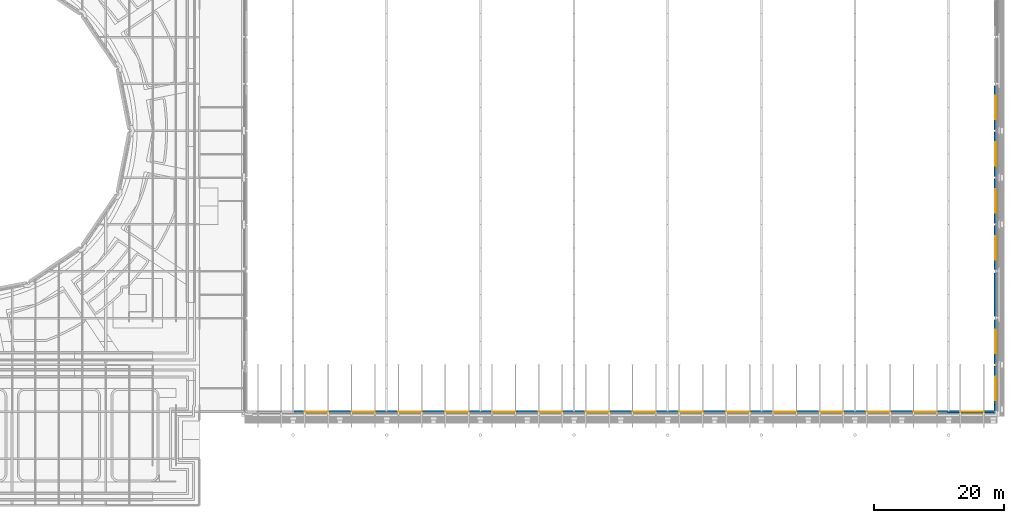
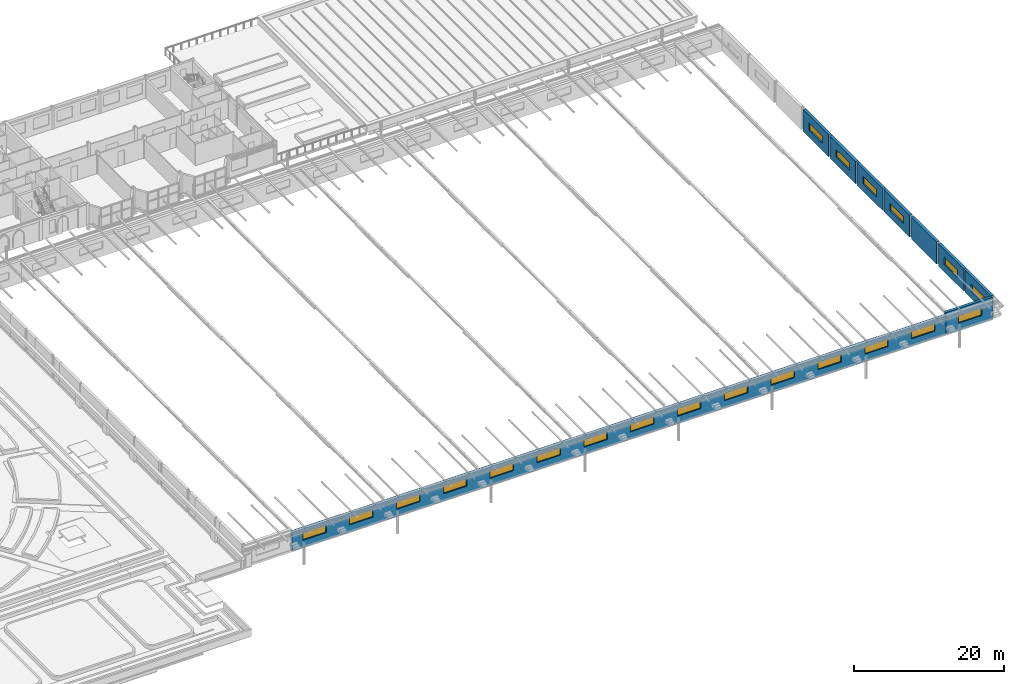
# One storey, part 45 of 110: 21 windows, 9 walls, 21 openings.
"""IFC4 building model written with IfcOpenShell, lengths in metres."""

from ifc_helpers import new_model, si_unit, direction, frame, frame_2d, origin, place, context, subcontext, project, spatial, rectangle, extrude, material, layer, layer_set, type_object, element, fill, save


model = new_model("IFC4")

# Units and contexts
model_context = context("Model", 3, precision=1e-05, world=origin(), true_north=direction((0.0, 1.0)))
body_context = subcontext(model_context, "Body", "Model", "MODEL_VIEW")
ifc_project = project(units=[si_unit("LENGTHUNIT", "METRE"), si_unit("AREAUNIT", "SQUARE_METRE"), si_unit("VOLUMEUNIT", "CUBIC_METRE"), si_unit("PLANEANGLEUNIT", "RADIAN"), si_unit("MASSUNIT", "GRAM", prefix="KILO")], contexts=[model_context])

# Site, building, storey
site_placement = place(None, origin())
site = spatial("IfcSite", under=ifc_project, at=site_placement, CompositionType="ELEMENT")
building_placement = place(site_placement, origin())
building = spatial("IfcBuilding", under=site, at=building_placement, Name="Kupolbacken Congress Centre", CompositionType="ELEMENT")
storey_placement = place(building_placement, frame((0.0, 0.0, 18.0)))
storey = spatial("IfcBuildingStorey", under=building, at=storey_placement, Name="L05", CompositionType="ELEMENT", Elevation=18.0)

# Wall, opening, window
ifc_material_1 = material(Name="Brick", Category="masonry")
ifc_layer_1 = layer(ifc_material_1, 0.10791015625)
ifc_material_2 = material(Name="Air cavity", Category="air")
ifc_layer_2 = layer(ifc_material_2, 0.0400390625, ventilated=True)
ifc_material_3 = material(Name="Mineral wool", Category="insulation")
ifc_layer_3 = layer(ifc_material_3, 0.152099609375)
ifc_material_4 = material(Name="Concrete block", Category="masonry")
ifc_layer_4 = layer(ifc_material_4, 0.1201171875)
ifc_layer_set = layer_set([ifc_layer_1, ifc_layer_2, ifc_layer_3, ifc_layer_4], Name="Brick / Mineral wool / Concrete block")
wall_type = type_object("IfcWallType", Name="EW04 external cavity wall 420", PredefinedType="SOLIDWALL", material=ifc_layer_set)
wall_1_placement = place(storey_placement, frame((201.60009765625, 43.409912109375, 0.0), z_axis=(0.0, 0.0, 1.0), x_axis=(0.0, 1.0, 0.0)))
wall_1 = element("IfcWall", 1, at=wall_1_placement, inside=storey, type_object=wall_type, Name="E/H/E/L05/457", PredefinedType="SOLIDWALL", context=body_context, shape_type="SweptSolid", body=[
    extrude(rectangle(XDim=6.844970703125, YDim=0.419921875, at=frame_2d((3.42236328125, 0.0))), origin(), (0.0, 0.0, 1.0), 3.60009765625),
])
opening_1_placement = place(wall_1_placement, frame((1.590087890625, 0.0, 1.199951171875)))
opening_1 = element("IfcOpeningElement", 2, at=opening_1_placement, cuts=wall_1, Name="Opening W12", PredefinedType="OPENING", context=body_context, shape_type="SweptSolid", body=[
    extrude(rectangle(XDim=3.60009765625, YDim=1.199951171875, at=frame_2d((1.800048828125, 0.60009765625))), frame((0.0, 0.219970703125, 0.0), z_axis=(0.0, -1.0, 0.0), x_axis=(1.0, 0.0, 0.0)), (0.0, 0.0, 1.0), 0.43994140625),
])
ifc_material_5 = material(Name="Aluminium frame with double or triple glazing", Category="aluminium")
window_type = type_object("IfcWindowType", Name="W12 window 3600x1200", PartitioningType="TRIPLE_PANEL_VERTICAL", PredefinedType="WINDOW", material=ifc_material_5)
window_1_placement = place(opening_1_placement, origin())
window_1 = element("IfcWindow", 3, at=window_1_placement, inside=storey, type_object=window_type, Name="E/H/E/L05/457/W1", OverallHeight=1.199951171875, OverallWidth=3.60009765625, PartitioningType="SINGLE_PANEL", PredefinedType="WINDOW", context=body_context, shape_type="SweptSolid", body=[
    extrude(rectangle(XDim=3.60009765625, YDim=1.199951171875, at=frame_2d((1.800048828125, 0.60009765625))), frame((0.0, 0.030029296875, 0.0), z_axis=(0.0, -1.0, 0.0), x_axis=(1.0, 0.0, 0.0)), (0.0, 0.0, 1.0), 0.06005859375),
])
fill(opening_1, window_1)

wall_2_placement = place(storey_placement, frame((201.60009765625, 50.544921875, 0.0), z_axis=(0.0, 0.0, 1.0), x_axis=(0.0, 1.0, 0.0)))
wall_2 = element("IfcWall", 4, at=wall_2_placement, inside=storey, type_object=wall_type, Name="E/H/E/L05/458", PredefinedType="SOLIDWALL", context=body_context, shape_type="SweptSolid", body=[
    extrude(rectangle(XDim=6.81005859375, YDim=0.419921875, at=frame_2d((3.405029296875, 0.0))), origin(), (0.0, 0.0, 1.0), 3.60009765625),
])
opening_2_placement = place(wall_2_placement, frame((1.655029296875, 0.0, 1.199951171875)))
opening_2 = element("IfcOpeningElement", 5, at=opening_2_placement, cuts=wall_2, Name="Opening W12", PredefinedType="OPENING", context=body_context, shape_type="SweptSolid", body=[
    extrude(rectangle(XDim=3.60009765625, YDim=1.199951171875, at=frame_2d((1.800048828125, 0.60009765625))), frame((0.0, 0.219970703125, 0.0), z_axis=(0.0, -1.0, 0.0), x_axis=(1.0, 0.0, 0.0)), (0.0, 0.0, 1.0), 0.43994140625),
])
window_2_placement = place(opening_2_placement, origin())
window_2 = element("IfcWindow", 6, at=window_2_placement, inside=storey, type_object=window_type, Name="E/H/E/L05/458/W1", OverallHeight=1.199951171875, OverallWidth=3.60009765625, PartitioningType="SINGLE_PANEL", PredefinedType="WINDOW", context=body_context, shape_type="SweptSolid", body=[
    extrude(rectangle(XDim=3.60009765625, YDim=1.199951171875, at=frame_2d((1.800048828125, 0.60009765625))), frame((0.0, 0.030029296875, 0.0), z_axis=(0.0, -1.0, 0.0), x_axis=(1.0, 0.0, 0.0)), (0.0, 0.0, 1.0), 0.06005859375),
])
fill(opening_2, window_2)

# Wall
wall_3_placement = place(storey_placement, frame((201.60009765625, 57.844970703125, 0.0), z_axis=(0.0, 0.0, 1.0), x_axis=(0.0, 1.0, 0.0)))
element("IfcWall", 7, at=wall_3_placement, inside=storey, type_object=wall_type, Name="E/H/E/L05/459", PredefinedType="SOLIDWALL", context=body_context, shape_type="SweptSolid", body=[
    extrude(rectangle(XDim=6.7099609375, YDim=0.419921875, at=frame_2d((3.35498046875, 0.0))), origin(), (0.0, 0.0, 1.0), 3.60009765625),
])

# Wall, opening, window
wall_4_placement = place(storey_placement, frame((201.60009765625, 65.044921875, 0.0), z_axis=(0.0, 0.0, 1.0), x_axis=(0.0, 1.0, 0.0)))
wall_4 = element("IfcWall", 8, at=wall_4_placement, inside=storey, type_object=wall_type, Name="E/H/E/L05/460", PredefinedType="SOLIDWALL", context=body_context, shape_type="SweptSolid", body=[
    extrude(rectangle(XDim=6.81005859375, YDim=0.419921875, at=frame_2d((3.405029296875, 0.0))), origin(), (0.0, 0.0, 1.0), 3.60009765625),
])
opening_3_placement = place(wall_4_placement, frame((1.554931640625, 0.0, 1.199951171875)))
opening_3 = element("IfcOpeningElement", 9, at=opening_3_placement, cuts=wall_4, Name="Opening W12", PredefinedType="OPENING", context=body_context, shape_type="SweptSolid", body=[
    extrude(rectangle(XDim=3.60009765625, YDim=1.199951171875, at=frame_2d((1.800048828125, 0.60009765625))), frame((0.0, 0.219970703125, 0.0), z_axis=(0.0, -1.0, 0.0), x_axis=(1.0, 0.0, 0.0)), (0.0, 0.0, 1.0), 0.43994140625),
])
window_3_placement = place(opening_3_placement, origin())
window_3 = element("IfcWindow", 10, at=window_3_placement, inside=storey, type_object=window_type, Name="E/H/E/L05/460/W1", OverallHeight=1.199951171875, OverallWidth=3.60009765625, PartitioningType="SINGLE_PANEL", PredefinedType="WINDOW", context=body_context, shape_type="SweptSolid", body=[
    extrude(rectangle(XDim=3.60009765625, YDim=1.199951171875, at=frame_2d((1.800048828125, 0.60009765625))), frame((0.0, 0.030029296875, 0.0), z_axis=(0.0, -1.0, 0.0), x_axis=(1.0, 0.0, 0.0)), (0.0, 0.0, 1.0), 0.06005859375),
])
fill(opening_3, window_3)

wall_5_placement = place(storey_placement, frame((201.60009765625, 72.14501953125, 0.0), z_axis=(0.0, 0.0, 1.0), x_axis=(0.0, 1.0, 0.0)))
wall_5 = element("IfcWall", 11, at=wall_5_placement, inside=storey, type_object=wall_type, Name="E/H/E/L05/461", PredefinedType="SOLIDWALL", context=body_context, shape_type="SweptSolid", body=[
    extrude(rectangle(XDim=6.909912109375, YDim=0.419921875, at=frame_2d((3.455078125, 0.0))), origin(), (0.0, 0.0, 1.0), 3.60009765625),
])
opening_4_placement = place(wall_5_placement, frame((1.655029296875, 0.0, 1.199951171875)))
opening_4 = element("IfcOpeningElement", 12, at=opening_4_placement, cuts=wall_5, Name="Opening W12", PredefinedType="OPENING", context=body_context, shape_type="SweptSolid", body=[
    extrude(rectangle(XDim=3.60009765625, YDim=1.199951171875, at=frame_2d((1.800048828125, 0.60009765625))), frame((0.0, 0.219970703125, 0.0), z_axis=(0.0, -1.0, 0.0), x_axis=(1.0, 0.0, 0.0)), (0.0, 0.0, 1.0), 0.43994140625),
])
window_4_placement = place(opening_4_placement, origin())
window_4 = element("IfcWindow", 13, at=window_4_placement, inside=storey, type_object=window_type, Name="E/H/E/L05/461/W1", OverallHeight=1.199951171875, OverallWidth=3.60009765625, PartitioningType="SINGLE_PANEL", PredefinedType="WINDOW", context=body_context, shape_type="SweptSolid", body=[
    extrude(rectangle(XDim=3.60009765625, YDim=1.199951171875, at=frame_2d((1.800048828125, 0.60009765625))), frame((0.0, 0.030029296875, 0.0), z_axis=(0.0, -1.0, 0.0), x_axis=(1.0, 0.0, 0.0)), (0.0, 0.0, 1.0), 0.06005859375),
])
fill(opening_4, window_4)

wall_6_placement = place(storey_placement, frame((201.60009765625, 79.344970703125, 0.0), z_axis=(0.0, 0.0, 1.0), x_axis=(0.0, 1.0, 0.0)))
wall_6 = element("IfcWall", 14, at=wall_6_placement, inside=storey, type_object=wall_type, Name="E/H/E/L05/462", PredefinedType="SOLIDWALL", context=body_context, shape_type="SweptSolid", body=[
    extrude(rectangle(XDim=6.909912109375, YDim=0.419921875, at=frame_2d((3.455078125, 0.0))), origin(), (0.0, 0.0, 1.0), 3.60009765625),
])
opening_5_placement = place(wall_6_placement, frame((1.655029296875, 0.0, 1.199951171875)))
opening_5 = element("IfcOpeningElement", 15, at=opening_5_placement, cuts=wall_6, Name="Opening W12", PredefinedType="OPENING", context=body_context, shape_type="SweptSolid", body=[
    extrude(rectangle(XDim=3.60009765625, YDim=1.199951171875, at=frame_2d((1.800048828125, 0.60009765625))), frame((0.0, 0.219970703125, 0.0), z_axis=(0.0, -1.0, 0.0), x_axis=(1.0, 0.0, 0.0)), (0.0, 0.0, 1.0), 0.43994140625),
])
window_5_placement = place(opening_5_placement, origin())
window_5 = element("IfcWindow", 16, at=window_5_placement, inside=storey, type_object=window_type, Name="E/H/E/L05/462/W1", OverallHeight=1.199951171875, OverallWidth=3.60009765625, PartitioningType="SINGLE_PANEL", PredefinedType="WINDOW", context=body_context, shape_type="SweptSolid", body=[
    extrude(rectangle(XDim=3.60009765625, YDim=1.199951171875, at=frame_2d((1.800048828125, 0.60009765625))), frame((0.0, 0.030029296875, 0.0), z_axis=(0.0, -1.0, 0.0), x_axis=(1.0, 0.0, 0.0)), (0.0, 0.0, 1.0), 0.06005859375),
])
fill(opening_5, window_5)

wall_7_placement = place(storey_placement, frame((201.60009765625, 86.544921875, 0.0), z_axis=(0.0, 0.0, 1.0), x_axis=(0.0, 1.0, 0.0)))
wall_7 = element("IfcWall", 17, at=wall_7_placement, inside=storey, type_object=wall_type, Name="E/H/E/L05/463", PredefinedType="SOLIDWALL", context=body_context, shape_type="SweptSolid", body=[
    extrude(rectangle(XDim=6.81005859375, YDim=0.419921875, at=frame_2d((3.405029296875, 0.0))), origin(), (0.0, 0.0, 1.0), 3.60009765625),
])
opening_6_placement = place(wall_7_placement, frame((1.655029296875, 0.0, 1.199951171875)))
opening_6 = element("IfcOpeningElement", 18, at=opening_6_placement, cuts=wall_7, Name="Opening W12", PredefinedType="OPENING", context=body_context, shape_type="SweptSolid", body=[
    extrude(rectangle(XDim=3.60009765625, YDim=1.199951171875, at=frame_2d((1.800048828125, 0.60009765625))), frame((0.0, 0.219970703125, 0.0), z_axis=(0.0, -1.0, 0.0), x_axis=(1.0, 0.0, 0.0)), (0.0, 0.0, 1.0), 0.43994140625),
])
window_6_placement = place(opening_6_placement, origin())
window_6 = element("IfcWindow", 19, at=window_6_placement, inside=storey, type_object=window_type, Name="E/H/E/L05/463/W1", OverallHeight=1.199951171875, OverallWidth=3.60009765625, PartitioningType="SINGLE_PANEL", PredefinedType="WINDOW", context=body_context, shape_type="SweptSolid", body=[
    extrude(rectangle(XDim=3.60009765625, YDim=1.199951171875, at=frame_2d((1.800048828125, 0.60009765625))), frame((0.0, 0.030029296875, 0.0), z_axis=(0.0, -1.0, 0.0), x_axis=(1.0, 0.0, 0.0)), (0.0, 0.0, 1.0), 0.06005859375),
])
fill(opening_6, window_6)

# Wall, openings, windows
wall_8_placement = place(storey_placement, frame((93.7451171875, 43.199951171875, 0.0), z_axis=(0.0, 0.0, 1.0), x_axis=(1.0, 0.0, 0.0)))
wall_8 = element("IfcWall", 20, at=wall_8_placement, inside=storey, type_object=wall_type, Name="E/H/S/L05/468.h1", PredefinedType="SOLIDWALL", context=body_context, shape_type="SweptSolid", body=[
    extrude(rectangle(XDim=100.509765625, YDim=0.419921875, at=frame_2d((50.2548828125, 0.0))), origin(), (0.0, 0.0, 1.0), 3.10009765625),
])
opening_7_placement = place(wall_8_placement, frame((1.655029296875, 0.0, 1.199951171875)))
opening_7 = element("IfcOpeningElement", 21, at=opening_7_placement, cuts=wall_8, Name="Opening W12", PredefinedType="OPENING", context=body_context, shape_type="SweptSolid", body=[
    extrude(rectangle(XDim=3.60009765625, YDim=1.199951171875, at=frame_2d((1.800048828125, 0.60009765625))), frame((0.0, 0.219970703125, 0.0), z_axis=(0.0, -1.0, 0.0), x_axis=(1.0, 0.0, 0.0)), (0.0, 0.0, 1.0), 0.43994140625),
])
opening_8_placement = place(wall_8_placement, frame((8.85498046875, 0.0, 1.199951171875)))
opening_8 = element("IfcOpeningElement", 22, at=opening_8_placement, cuts=wall_8, Name="Opening W12", PredefinedType="OPENING", context=body_context, shape_type="SweptSolid", body=[
    extrude(rectangle(XDim=3.60009765625, YDim=1.199951171875, at=frame_2d((1.800048828125, 0.60009765625))), frame((0.0, 0.219970703125, 0.0), z_axis=(0.0, -1.0, 0.0), x_axis=(1.0, 0.0, 0.0)), (0.0, 0.0, 1.0), 0.43994140625),
])
opening_9_placement = place(wall_8_placement, frame((16.054931640625, 0.0, 1.199951171875)))
opening_9 = element("IfcOpeningElement", 23, at=opening_9_placement, cuts=wall_8, Name="Opening W12", PredefinedType="OPENING", context=body_context, shape_type="SweptSolid", body=[
    extrude(rectangle(XDim=3.60009765625, YDim=1.199951171875, at=frame_2d((1.800048828125, 0.60009765625))), frame((0.0, 0.219970703125, 0.0), z_axis=(0.0, -1.0, 0.0), x_axis=(1.0, 0.0, 0.0)), (0.0, 0.0, 1.0), 0.43994140625),
])
opening_10_placement = place(wall_8_placement, frame((23.2548828125, 0.0, 1.199951171875)))
opening_10 = element("IfcOpeningElement", 24, at=opening_10_placement, cuts=wall_8, Name="Opening W12", PredefinedType="OPENING", context=body_context, shape_type="SweptSolid", body=[
    extrude(rectangle(XDim=3.60009765625, YDim=1.199951171875, at=frame_2d((1.800048828125, 0.60009765625))), frame((0.0, 0.219970703125, 0.0), z_axis=(0.0, -1.0, 0.0), x_axis=(1.0, 0.0, 0.0)), (0.0, 0.0, 1.0), 0.43994140625),
])
opening_11_placement = place(wall_8_placement, frame((30.455078125, 0.0, 1.199951171875)))
opening_11 = element("IfcOpeningElement", 25, at=opening_11_placement, cuts=wall_8, Name="Opening W12", PredefinedType="OPENING", context=body_context, shape_type="SweptSolid", body=[
    extrude(rectangle(XDim=3.60009765625, YDim=1.199951171875, at=frame_2d((1.800048828125, 0.60009765625))), frame((0.0, 0.219970703125, 0.0), z_axis=(0.0, -1.0, 0.0), x_axis=(1.0, 0.0, 0.0)), (0.0, 0.0, 1.0), 0.43994140625),
])
opening_12_placement = place(wall_8_placement, frame((37.655029296875, 0.0, 1.199951171875)))
opening_12 = element("IfcOpeningElement", 26, at=opening_12_placement, cuts=wall_8, Name="Opening W12", PredefinedType="OPENING", context=body_context, shape_type="SweptSolid", body=[
    extrude(rectangle(XDim=3.60009765625, YDim=1.199951171875, at=frame_2d((1.800048828125, 0.60009765625))), frame((0.0, 0.219970703125, 0.0), z_axis=(0.0, -1.0, 0.0), x_axis=(1.0, 0.0, 0.0)), (0.0, 0.0, 1.0), 0.43994140625),
])
opening_13_placement = place(wall_8_placement, frame((44.85498046875, 0.0, 1.199951171875)))
opening_13 = element("IfcOpeningElement", 27, at=opening_13_placement, cuts=wall_8, Name="Opening W12", PredefinedType="OPENING", context=body_context, shape_type="SweptSolid", body=[
    extrude(rectangle(XDim=3.60009765625, YDim=1.199951171875, at=frame_2d((1.800048828125, 0.60009765625))), frame((0.0, 0.219970703125, 0.0), z_axis=(0.0, -1.0, 0.0), x_axis=(1.0, 0.0, 0.0)), (0.0, 0.0, 1.0), 0.43994140625),
])
opening_14_placement = place(wall_8_placement, frame((52.054931640625, 0.0, 1.199951171875)))
opening_14 = element("IfcOpeningElement", 28, at=opening_14_placement, cuts=wall_8, Name="Opening W12", PredefinedType="OPENING", context=body_context, shape_type="SweptSolid", body=[
    extrude(rectangle(XDim=3.60009765625, YDim=1.199951171875, at=frame_2d((1.800048828125, 0.60009765625))), frame((0.0, 0.219970703125, 0.0), z_axis=(0.0, -1.0, 0.0), x_axis=(1.0, 0.0, 0.0)), (0.0, 0.0, 1.0), 0.43994140625),
])
opening_15_placement = place(wall_8_placement, frame((59.2548828125, 0.0, 1.199951171875)))
opening_15 = element("IfcOpeningElement", 29, at=opening_15_placement, cuts=wall_8, Name="Opening W12", PredefinedType="OPENING", context=body_context, shape_type="SweptSolid", body=[
    extrude(rectangle(XDim=3.60009765625, YDim=1.199951171875, at=frame_2d((1.800048828125, 0.60009765625))), frame((0.0, 0.219970703125, 0.0), z_axis=(0.0, -1.0, 0.0), x_axis=(1.0, 0.0, 0.0)), (0.0, 0.0, 1.0), 0.43994140625),
])
opening_16_placement = place(wall_8_placement, frame((66.455078125, 0.0, 1.199951171875)))
opening_16 = element("IfcOpeningElement", 30, at=opening_16_placement, cuts=wall_8, Name="Opening W12", PredefinedType="OPENING", context=body_context, shape_type="SweptSolid", body=[
    extrude(rectangle(XDim=3.60009765625, YDim=1.199951171875, at=frame_2d((1.800048828125, 0.60009765625))), frame((0.0, 0.219970703125, 0.0), z_axis=(0.0, -1.0, 0.0), x_axis=(1.0, 0.0, 0.0)), (0.0, 0.0, 1.0), 0.43994140625),
])
opening_17_placement = place(wall_8_placement, frame((73.655029296875, 0.0, 1.199951171875)))
opening_17 = element("IfcOpeningElement", 31, at=opening_17_placement, cuts=wall_8, Name="Opening W12", PredefinedType="OPENING", context=body_context, shape_type="SweptSolid", body=[
    extrude(rectangle(XDim=3.60009765625, YDim=1.199951171875, at=frame_2d((1.800048828125, 0.60009765625))), frame((0.0, 0.219970703125, 0.0), z_axis=(0.0, -1.0, 0.0), x_axis=(1.0, 0.0, 0.0)), (0.0, 0.0, 1.0), 0.43994140625),
])
opening_18_placement = place(wall_8_placement, frame((80.85498046875, 0.0, 1.199951171875)))
opening_18 = element("IfcOpeningElement", 32, at=opening_18_placement, cuts=wall_8, Name="Opening W12", PredefinedType="OPENING", context=body_context, shape_type="SweptSolid", body=[
    extrude(rectangle(XDim=3.60009765625, YDim=1.199951171875, at=frame_2d((1.800048828125, 0.60009765625))), frame((0.0, 0.219970703125, 0.0), z_axis=(0.0, -1.0, 0.0), x_axis=(1.0, 0.0, 0.0)), (0.0, 0.0, 1.0), 0.43994140625),
])
opening_19_placement = place(wall_8_placement, frame((88.054931640625, 0.0, 1.199951171875)))
opening_19 = element("IfcOpeningElement", 33, at=opening_19_placement, cuts=wall_8, Name="Opening W12", PredefinedType="OPENING", context=body_context, shape_type="SweptSolid", body=[
    extrude(rectangle(XDim=3.60009765625, YDim=1.199951171875, at=frame_2d((1.800048828125, 0.60009765625))), frame((0.0, 0.219970703125, 0.0), z_axis=(0.0, -1.0, 0.0), x_axis=(1.0, 0.0, 0.0)), (0.0, 0.0, 1.0), 0.43994140625),
])
opening_20_placement = place(wall_8_placement, frame((95.2548828125, 0.0, 1.199951171875)))
opening_20 = element("IfcOpeningElement", 34, at=opening_20_placement, cuts=wall_8, Name="Opening W12", PredefinedType="OPENING", context=body_context, shape_type="SweptSolid", body=[
    extrude(rectangle(XDim=3.60009765625, YDim=1.199951171875, at=frame_2d((1.800048828125, 0.60009765625))), frame((0.0, 0.219970703125, 0.0), z_axis=(0.0, -1.0, 0.0), x_axis=(1.0, 0.0, 0.0)), (0.0, 0.0, 1.0), 0.43994140625),
])
window_7_placement = place(opening_7_placement, origin())
window_7 = element("IfcWindow", 35, at=window_7_placement, inside=storey, type_object=window_type, Name="E/H/S/L05/468/W2", OverallHeight=1.199951171875, OverallWidth=3.60009765625, PartitioningType="SINGLE_PANEL", PredefinedType="WINDOW", context=body_context, shape_type="SweptSolid", body=[
    extrude(rectangle(XDim=3.60009765625, YDim=1.199951171875, at=frame_2d((1.800048828125, 0.60009765625))), frame((0.0, 0.030029296875, 0.0), z_axis=(0.0, -1.0, 0.0), x_axis=(1.0, 0.0, 0.0)), (0.0, 0.0, 1.0), 0.06005859375),
])
fill(opening_7, window_7)
window_8_placement = place(opening_8_placement, origin())
window_8 = element("IfcWindow", 36, at=window_8_placement, inside=storey, type_object=window_type, Name="E/H/S/L05/468/W3", OverallHeight=1.199951171875, OverallWidth=3.60009765625, PartitioningType="SINGLE_PANEL", PredefinedType="WINDOW", context=body_context, shape_type="SweptSolid", body=[
    extrude(rectangle(XDim=3.60009765625, YDim=1.199951171875, at=frame_2d((1.800048828125, 0.60009765625))), frame((0.0, 0.030029296875, 0.0), z_axis=(0.0, -1.0, 0.0), x_axis=(1.0, 0.0, 0.0)), (0.0, 0.0, 1.0), 0.06005859375),
])
fill(opening_8, window_8)
window_9_placement = place(opening_9_placement, origin())
window_9 = element("IfcWindow", 37, at=window_9_placement, inside=storey, type_object=window_type, Name="E/H/S/L05/468/W4", OverallHeight=1.199951171875, OverallWidth=3.60009765625, PartitioningType="SINGLE_PANEL", PredefinedType="WINDOW", context=body_context, shape_type="SweptSolid", body=[
    extrude(rectangle(XDim=3.60009765625, YDim=1.199951171875, at=frame_2d((1.800048828125, 0.60009765625))), frame((0.0, 0.030029296875, 0.0), z_axis=(0.0, -1.0, 0.0), x_axis=(1.0, 0.0, 0.0)), (0.0, 0.0, 1.0), 0.06005859375),
])
fill(opening_9, window_9)
window_10_placement = place(opening_10_placement, origin())
window_10 = element("IfcWindow", 38, at=window_10_placement, inside=storey, type_object=window_type, Name="E/H/S/L05/468/W5", OverallHeight=1.199951171875, OverallWidth=3.60009765625, PartitioningType="SINGLE_PANEL", PredefinedType="WINDOW", context=body_context, shape_type="SweptSolid", body=[
    extrude(rectangle(XDim=3.60009765625, YDim=1.199951171875, at=frame_2d((1.800048828125, 0.60009765625))), frame((0.0, 0.030029296875, 0.0), z_axis=(0.0, -1.0, 0.0), x_axis=(1.0, 0.0, 0.0)), (0.0, 0.0, 1.0), 0.06005859375),
])
fill(opening_10, window_10)
window_11_placement = place(opening_11_placement, origin())
window_11 = element("IfcWindow", 39, at=window_11_placement, inside=storey, type_object=window_type, Name="E/H/S/L05/468/W6", OverallHeight=1.199951171875, OverallWidth=3.60009765625, PartitioningType="SINGLE_PANEL", PredefinedType="WINDOW", context=body_context, shape_type="SweptSolid", body=[
    extrude(rectangle(XDim=3.60009765625, YDim=1.199951171875, at=frame_2d((1.800048828125, 0.60009765625))), frame((0.0, 0.030029296875, 0.0), z_axis=(0.0, -1.0, 0.0), x_axis=(1.0, 0.0, 0.0)), (0.0, 0.0, 1.0), 0.06005859375),
])
fill(opening_11, window_11)
window_12_placement = place(opening_12_placement, origin())
window_12 = element("IfcWindow", 40, at=window_12_placement, inside=storey, type_object=window_type, Name="E/H/S/L05/468/W7", OverallHeight=1.199951171875, OverallWidth=3.60009765625, PartitioningType="SINGLE_PANEL", PredefinedType="WINDOW", context=body_context, shape_type="SweptSolid", body=[
    extrude(rectangle(XDim=3.60009765625, YDim=1.199951171875, at=frame_2d((1.800048828125, 0.60009765625))), frame((0.0, 0.030029296875, 0.0), z_axis=(0.0, -1.0, 0.0), x_axis=(1.0, 0.0, 0.0)), (0.0, 0.0, 1.0), 0.06005859375),
])
fill(opening_12, window_12)
window_13_placement = place(opening_13_placement, origin())
window_13 = element("IfcWindow", 41, at=window_13_placement, inside=storey, type_object=window_type, Name="E/H/S/L05/468/W8", OverallHeight=1.199951171875, OverallWidth=3.60009765625, PartitioningType="SINGLE_PANEL", PredefinedType="WINDOW", context=body_context, shape_type="SweptSolid", body=[
    extrude(rectangle(XDim=3.60009765625, YDim=1.199951171875, at=frame_2d((1.800048828125, 0.60009765625))), frame((0.0, 0.030029296875, 0.0), z_axis=(0.0, -1.0, 0.0), x_axis=(1.0, 0.0, 0.0)), (0.0, 0.0, 1.0), 0.06005859375),
])
fill(opening_13, window_13)
window_14_placement = place(opening_14_placement, origin())
window_14 = element("IfcWindow", 42, at=window_14_placement, inside=storey, type_object=window_type, Name="E/H/S/L05/468/W9", OverallHeight=1.199951171875, OverallWidth=3.60009765625, PartitioningType="SINGLE_PANEL", PredefinedType="WINDOW", context=body_context, shape_type="SweptSolid", body=[
    extrude(rectangle(XDim=3.60009765625, YDim=1.199951171875, at=frame_2d((1.800048828125, 0.60009765625))), frame((0.0, 0.030029296875, 0.0), z_axis=(0.0, -1.0, 0.0), x_axis=(1.0, 0.0, 0.0)), (0.0, 0.0, 1.0), 0.06005859375),
])
fill(opening_14, window_14)
window_15_placement = place(opening_15_placement, origin())
window_15 = element("IfcWindow", 43, at=window_15_placement, inside=storey, type_object=window_type, Name="E/H/S/L05/468/W10", OverallHeight=1.199951171875, OverallWidth=3.60009765625, PartitioningType="SINGLE_PANEL", PredefinedType="WINDOW", context=body_context, shape_type="SweptSolid", body=[
    extrude(rectangle(XDim=3.60009765625, YDim=1.199951171875, at=frame_2d((1.800048828125, 0.60009765625))), frame((0.0, 0.030029296875, 0.0), z_axis=(0.0, -1.0, 0.0), x_axis=(1.0, 0.0, 0.0)), (0.0, 0.0, 1.0), 0.06005859375),
])
fill(opening_15, window_15)
window_16_placement = place(opening_16_placement, origin())
window_16 = element("IfcWindow", 44, at=window_16_placement, inside=storey, type_object=window_type, Name="E/H/S/L05/468/W11", OverallHeight=1.199951171875, OverallWidth=3.60009765625, PartitioningType="SINGLE_PANEL", PredefinedType="WINDOW", context=body_context, shape_type="SweptSolid", body=[
    extrude(rectangle(XDim=3.60009765625, YDim=1.199951171875, at=frame_2d((1.800048828125, 0.60009765625))), frame((0.0, 0.030029296875, 0.0), z_axis=(0.0, -1.0, 0.0), x_axis=(1.0, 0.0, 0.0)), (0.0, 0.0, 1.0), 0.06005859375),
])
fill(opening_16, window_16)
window_17_placement = place(opening_17_placement, origin())
window_17 = element("IfcWindow", 45, at=window_17_placement, inside=storey, type_object=window_type, Name="E/H/S/L05/468/W12", OverallHeight=1.199951171875, OverallWidth=3.60009765625, PartitioningType="SINGLE_PANEL", PredefinedType="WINDOW", context=body_context, shape_type="SweptSolid", body=[
    extrude(rectangle(XDim=3.60009765625, YDim=1.199951171875, at=frame_2d((1.800048828125, 0.60009765625))), frame((0.0, 0.030029296875, 0.0), z_axis=(0.0, -1.0, 0.0), x_axis=(1.0, 0.0, 0.0)), (0.0, 0.0, 1.0), 0.06005859375),
])
fill(opening_17, window_17)
window_18_placement = place(opening_18_placement, origin())
window_18 = element("IfcWindow", 46, at=window_18_placement, inside=storey, type_object=window_type, Name="E/H/S/L05/468/W13", OverallHeight=1.199951171875, OverallWidth=3.60009765625, PartitioningType="SINGLE_PANEL", PredefinedType="WINDOW", context=body_context, shape_type="SweptSolid", body=[
    extrude(rectangle(XDim=3.60009765625, YDim=1.199951171875, at=frame_2d((1.800048828125, 0.60009765625))), frame((0.0, 0.030029296875, 0.0), z_axis=(0.0, -1.0, 0.0), x_axis=(1.0, 0.0, 0.0)), (0.0, 0.0, 1.0), 0.06005859375),
])
fill(opening_18, window_18)
window_19_placement = place(opening_19_placement, origin())
window_19 = element("IfcWindow", 47, at=window_19_placement, inside=storey, type_object=window_type, Name="E/H/S/L05/468/W14", OverallHeight=1.199951171875, OverallWidth=3.60009765625, PartitioningType="SINGLE_PANEL", PredefinedType="WINDOW", context=body_context, shape_type="SweptSolid", body=[
    extrude(rectangle(XDim=3.60009765625, YDim=1.199951171875, at=frame_2d((1.800048828125, 0.60009765625))), frame((0.0, 0.030029296875, 0.0), z_axis=(0.0, -1.0, 0.0), x_axis=(1.0, 0.0, 0.0)), (0.0, 0.0, 1.0), 0.06005859375),
])
fill(opening_19, window_19)
window_20_placement = place(opening_20_placement, origin())
window_20 = element("IfcWindow", 48, at=window_20_placement, inside=storey, type_object=window_type, Name="E/H/S/L05/468/W15", OverallHeight=1.199951171875, OverallWidth=3.60009765625, PartitioningType="SINGLE_PANEL", PredefinedType="WINDOW", context=body_context, shape_type="SweptSolid", body=[
    extrude(rectangle(XDim=3.60009765625, YDim=1.199951171875, at=frame_2d((1.800048828125, 0.60009765625))), frame((0.0, 0.030029296875, 0.0), z_axis=(0.0, -1.0, 0.0), x_axis=(1.0, 0.0, 0.0)), (0.0, 0.0, 1.0), 0.06005859375),
])
fill(opening_20, window_20)

# Wall, opening, window
wall_9_placement = place(storey_placement, frame((194.2548828125, 43.199951171875, 0.0), z_axis=(0.0, 0.0, 1.0), x_axis=(1.0, 0.0, 0.0)))
wall_9 = element("IfcWall", 49, at=wall_9_placement, inside=storey, type_object=wall_type, Name="E/H/S/L05/468.h2", PredefinedType="SOLIDWALL", context=body_context, shape_type="SweptSolid", body=[
    extrude(rectangle(XDim=7.195068359375, YDim=0.419921875, at=frame_2d((3.59765625, 0.0))), origin(), (0.0, 0.0, 1.0), 3.60009765625),
])
opening_21_placement = place(wall_9_placement, frame((1.945068359375, 0.0, 1.199951171875)))
opening_21 = element("IfcOpeningElement", 50, at=opening_21_placement, cuts=wall_9, Name="Opening W12", PredefinedType="OPENING", context=body_context, shape_type="SweptSolid", body=[
    extrude(rectangle(XDim=3.60009765625, YDim=1.199951171875, at=frame_2d((1.800048828125, 0.60009765625))), frame((0.0, 0.219970703125, 0.0), z_axis=(0.0, -1.0, 0.0), x_axis=(1.0, 0.0, 0.0)), (0.0, 0.0, 1.0), 0.43994140625),
])
window_21_placement = place(opening_21_placement, origin())
window_21 = element("IfcWindow", 51, at=window_21_placement, inside=storey, type_object=window_type, Name="E/H/S/L05/468/W16", OverallHeight=1.199951171875, OverallWidth=3.60009765625, PartitioningType="SINGLE_PANEL", PredefinedType="WINDOW", context=body_context, shape_type="SweptSolid", body=[
    extrude(rectangle(XDim=3.60009765625, YDim=1.199951171875, at=frame_2d((1.800048828125, 0.60009765625))), frame((0.0, 0.030029296875, 0.0), z_axis=(0.0, -1.0, 0.0), x_axis=(1.0, 0.0, 0.0)), (0.0, 0.0, 1.0), 0.06005859375),
])
fill(opening_21, window_21)

save(model, "model.ifc")
